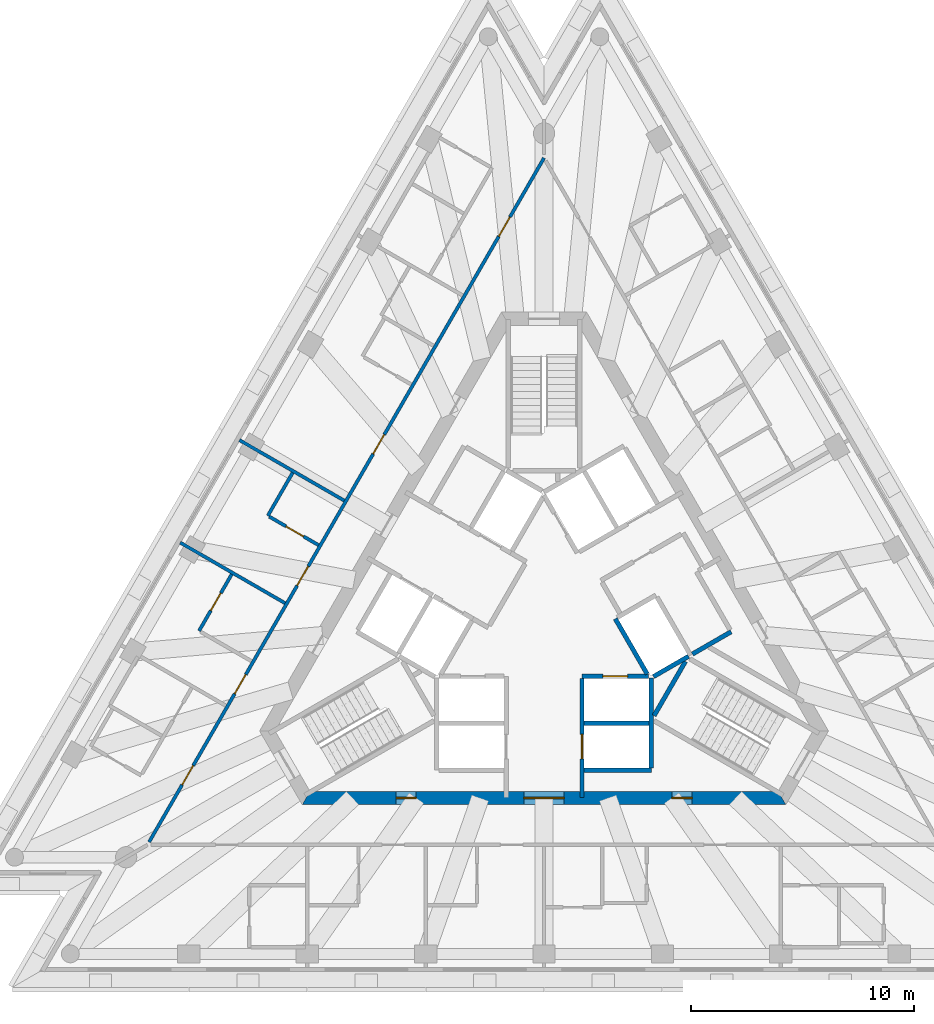
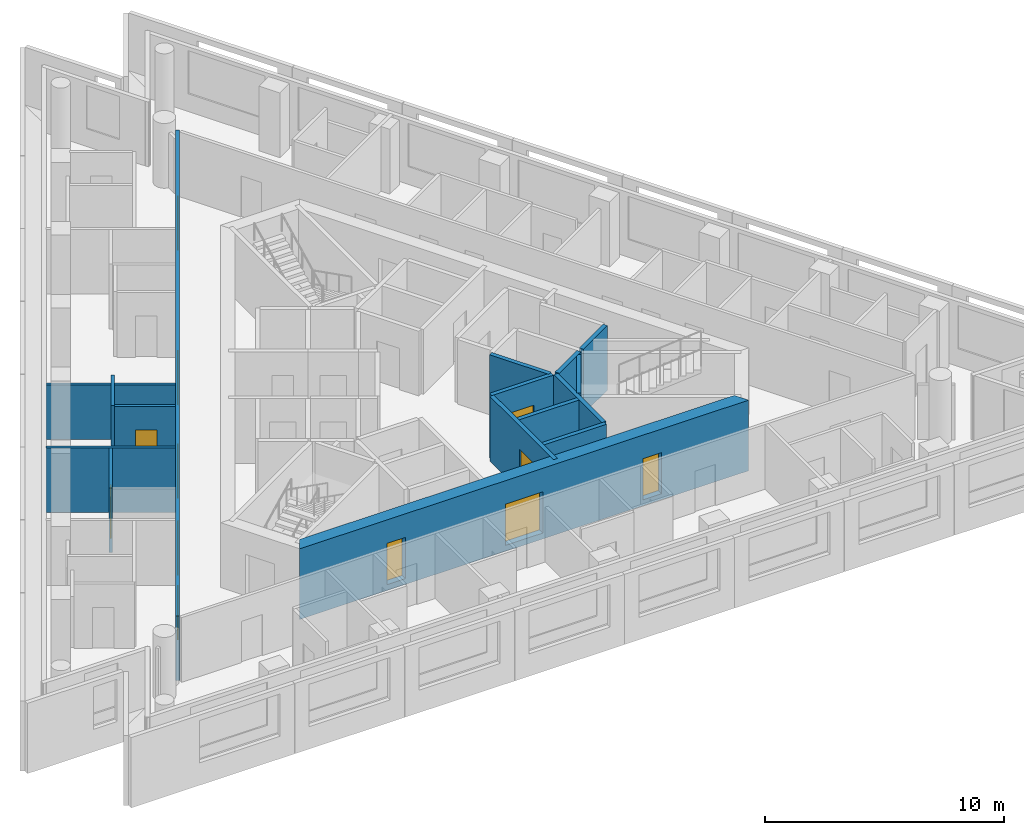
# One storey, part 4 of 11: 16 walls, 12 doors, 12 openings.
"""IFC4 building model written with IfcOpenShell, lengths in metres."""

from ifc_helpers import new_model, si_unit, direction, frame, frame_2d, origin, place, context, subcontext, project, spatial, polyline, rectangle, outline, extrude, material, layer, layer_set, type_object, element, fill, save


model = new_model("IFC4")

# Units and contexts
model_context = context("Model", 3, precision=1e-05, world=origin(), true_north=direction((0.0, 1.0)))
body_context = subcontext(model_context, "Body", "Model", "MODEL_VIEW")
ifc_project = project(units=[si_unit("LENGTHUNIT", "METRE"), si_unit("AREAUNIT", "SQUARE_METRE"), si_unit("VOLUMEUNIT", "CUBIC_METRE"), si_unit("PLANEANGLEUNIT", "RADIAN"), si_unit("MASSUNIT", "GRAM", prefix="KILO")], contexts=[model_context])

# Site, building, storey
site_placement = place(None, origin())
site = spatial("IfcSite", under=ifc_project, at=site_placement, CompositionType="ELEMENT")
building_placement = place(site_placement, origin())
building = spatial("IfcBuilding", under=site, at=building_placement, Name="Triada Interchange Tower", CompositionType="ELEMENT")
storey_placement = place(building_placement, frame((0.0, 0.0, 304.300048828125)))
storey = spatial("IfcBuildingStorey", under=building, at=storey_placement, Name="L72", CompositionType="ELEMENT", Elevation=304.300048828125)

# Walls
ifc_material_1 = material(Name="Concrete C30/37", Category="concrete")
ifc_layer_1 = layer(ifc_material_1, 0.199951171875)
ifc_layer_set_1 = layer_set([ifc_layer_1], Name="CORE WALL 200 EI 120")
wall_type_1 = type_object("IfcWallType", Name="CORE WALL 200 EI 120", PredefinedType="SOLIDWALL", material=ifc_layer_set_1)
wall_1_placement = place(storey_placement, frame((1.800048828125, -4.800048828125, 0.0), z_axis=(0.0, 0.0, 1.0), x_axis=(1.0, 0.0, 0.0)))
element("IfcWall", 1, at=wall_1_placement, inside=storey, type_object=wall_type_1, Name="Wall L71 72", PredefinedType="SOLIDWALL", context=body_context, shape_type="SweptSolid", body=[
    extrude(rectangle(XDim=2.89990234375, YDim=0.199951171875, at=frame_2d((1.449951171875, 0.0))), origin(), (0.0, 0.0, 1.0), 3.300048828125),
])
wall_2_placement = place(storey_placement, frame((1.800048828125, -6.89990234375, 0.0), z_axis=(0.0, 0.0, 1.0), x_axis=(1.0, 0.0, 0.0)))
element("IfcWall", 2, at=wall_2_placement, inside=storey, type_object=wall_type_1, Name="Wall L71 75", PredefinedType="SOLIDWALL", context=body_context, shape_type="SweptSolid", body=[
    extrude(rectangle(XDim=3.0, YDim=0.199951171875, at=frame_2d((1.5, 0.0))), origin(), (0.0, 0.0, 1.0), 3.300048828125),
])

# Wall, opening, door
wall_3_placement = place(storey_placement, frame((1.702880859375, -2.699951171875, 0.0), z_axis=(0.0, 0.0, 1.0), x_axis=(1.0, 0.0, 0.0)))
wall_3 = element("IfcWall", 3, at=wall_3_placement, inside=storey, type_object=wall_type_1, Name="Wall L71 78", PredefinedType="SOLIDWALL", context=body_context, shape_type="SweptSolid", body=[
    extrude(rectangle(XDim=2.97314453125, YDim=0.199951171875, at=frame_2d((1.486572265625, 0.0))), origin(), (0.0, 0.0, 1.0), 3.300048828125),
])
opening_1_placement = place(wall_3_placement, frame((0.93603515625, 0.0, 0.0)))
opening_1 = element("IfcOpeningElement", 4, at=opening_1_placement, cuts=wall_3, Name="Opening LD-HR1", PredefinedType="OPENING", context=body_context, shape_type="SweptSolid", body=[
    extrude(rectangle(XDim=1.10009765625, YDim=2.10009765625, at=frame_2d((0.550048828125, 1.050048828125))), frame((0.0, 0.10986328125, 0.0), z_axis=(0.0, -1.0, 0.0), x_axis=(1.0, 0.0, 0.0)), (0.0, 0.0, 1.0), 0.219970703125),
])
ifc_material_2 = material(Name="Steel S235 door leaf", Category="steel")
door_type_1 = type_object("IfcDoorType", Name="LIFT LANDING DOOR 1100 EI 120", OperationType="SLIDING_TO_LEFT", PredefinedType="DOOR", material=ifc_material_2)
door_1_placement = place(opening_1_placement, origin())
door_1 = element("IfcDoor", 5, at=door_1_placement, inside=storey, type_object=door_type_1, Name="HR1 landing door L72", OperationType="SLIDING_TO_LEFT", OverallHeight=2.10009765625, OverallWidth=1.10009765625, PredefinedType="DOOR", context=body_context, shape_type="SweptSolid", body=[
    extrude(rectangle(XDim=1.10009765625, YDim=2.10009765625, at=frame_2d((0.550048828125, 1.050048828125))), frame((0.0, 0.02490234375, 0.0), z_axis=(0.0, -1.0, 0.0), x_axis=(1.0, 0.0, 0.0)), (0.0, 0.0, 1.0), 0.050048828125),
])
fill(opening_1, door_1)

# Wall
wall_4_placement = place(storey_placement, frame((3.18994140625, -0.125, 0.0), z_axis=(0.0, 0.0, 1.0), x_axis=(0.499988658015, -0.866031951983, 0.0)))
element("IfcWall", 6, at=wall_4_placement, inside=storey, type_object=wall_type_1, Name="Wall L71 81", PredefinedType="SOLIDWALL", context=body_context, shape_type="SweptSolid", body=[
    extrude(rectangle(XDim=2.85791015625, YDim=0.199951171875, at=frame_2d((1.428955078125, 0.0))), origin(), (0.0, 0.0, 1.0), 3.300048828125),
])

# Wall, opening, door
wall_5_placement = place(storey_placement, frame((1.699951171875, -8.1298828125, 0.0), z_axis=(0.0, 0.0, 1.0), x_axis=(0.0, 1.0, 0.0)))
wall_5 = element("IfcWall", 7, at=wall_5_placement, inside=storey, type_object=wall_type_1, Name="Wall L71 83", PredefinedType="SOLIDWALL", context=body_context, shape_type="SweptSolid", body=[
    extrude(rectangle(XDim=5.326904296875, YDim=0.199951171875, at=frame_2d((2.66357421875, 0.0))), origin(), (0.0, 0.0, 1.0), 3.300048828125),
])
opening_2_placement = place(wall_5_placement, frame((1.72998046875, 0.0, 0.0)))
opening_2 = element("IfcOpeningElement", 8, at=opening_2_placement, cuts=wall_5, Name="Opening LD-HR2", PredefinedType="OPENING", context=body_context, shape_type="SweptSolid", body=[
    extrude(rectangle(XDim=1.10009765625, YDim=2.10009765625, at=frame_2d((0.550048828125, 1.050048828125))), frame((0.0, 0.10986328125, 0.0), z_axis=(0.0, -1.0, 0.0), x_axis=(1.0, 0.0, 0.0)), (0.0, 0.0, 1.0), 0.219970703125),
])
door_2_placement = place(opening_2_placement, origin())
door_2 = element("IfcDoor", 9, at=door_2_placement, inside=storey, type_object=door_type_1, Name="HR2 landing door L72", OperationType="SLIDING_TO_LEFT", OverallHeight=2.10009765625, OverallWidth=1.10009765625, PredefinedType="DOOR", context=body_context, shape_type="SweptSolid", body=[
    extrude(rectangle(XDim=1.10009765625, YDim=2.10009765625, at=frame_2d((0.550048828125, 1.050048828125))), frame((0.0, 0.02490234375, 0.0), z_axis=(0.0, -1.0, 0.0), x_axis=(1.0, 0.0, 0.0)), (0.0, 0.0, 1.0), 0.050048828125),
])
fill(opening_2, door_2)

# Walls
wall_6_placement = place(storey_placement, frame((4.800048828125, -6.800048828125, 0.0), z_axis=(0.0, 0.0, 1.0), x_axis=(0.0, 1.0, 0.0)))
element("IfcWall", 10, at=wall_6_placement, inside=storey, type_object=wall_type_1, Name="Wall L71 84", PredefinedType="SOLIDWALL", context=body_context, shape_type="SweptSolid", body=[
    extrude(rectangle(XDim=4.029052734375, YDim=0.199951171875, at=frame_2d((2.0146484375, 0.0))), origin(), (0.0, 0.0, 1.0), 3.300048828125),
])
wall_7_placement = place(storey_placement, frame((4.89990234375, -2.714111328125, 0.0), z_axis=(0.0, 0.0, 1.0), x_axis=(0.865846928409, 0.500309001083, 0.0)))
element("IfcWall", 11, at=wall_7_placement, inside=storey, type_object=wall_type_1, Name="Wall L71 90", PredefinedType="SOLIDWALL", context=body_context, shape_type="SweptSolid", body=[
    extrude(rectangle(XDim=1.813232421875, YDim=0.199951171875, at=frame_2d((0.90673828125, 0.0))), origin(), (0.0, 0.0, 1.0), 3.300048828125),
])
ifc_layer_2 = layer(ifc_material_1, 0.199951171875)
ifc_layer_set_2 = layer_set([ifc_layer_2], Name="CORE WALL 200 EI 90")
wall_type_2 = type_object("IfcWallType", Name="CORE WALL 200 EI 90", PredefinedType="SOLIDWALL", material=ifc_layer_set_2)
wall_8_placement = place(storey_placement, frame((6.64208984375, -1.7080078125, 0.0), z_axis=(0.0, 0.0, 1.0), x_axis=(0.866043441391, 0.499968756647, 0.0)))
element("IfcWall", 12, at=wall_8_placement, inside=storey, type_object=wall_type_2, Name="Wall L71 111", PredefinedType="SOLIDWALL", context=body_context, shape_type="SweptSolid", body=[
    extrude(rectangle(XDim=2.002197265625, YDim=0.199951171875, at=frame_2d((1.0009765625, 0.0))), origin(), (0.0, 0.0, 1.0), 3.300048828125),
])
ifc_layer_3 = layer(ifc_material_1, 0.199951171875)
ifc_layer_set_3 = layer_set([ifc_layer_3], Name="CORE WALL 200 REI 240")
wall_type_3 = type_object("IfcWallType", Name="CORE WALL 200 REI 240", PredefinedType="SOLIDWALL", material=ifc_layer_set_3)
wall_9_placement = place(storey_placement, frame((4.928955078125, -4.4619140625, 0.0), z_axis=(0.0, 0.0, 1.0), x_axis=(0.500200581029, 0.865909567298, 0.0)))
element("IfcWall", 13, at=wall_9_placement, inside=storey, type_object=wall_type_3, Name="Wall L71 122", PredefinedType="SOLIDWALL", context=body_context, shape_type="SweptSolid", body=[
    extrude(rectangle(XDim=2.799072265625, YDim=0.199951171875, at=frame_2d((1.3994140625, 0.0))), origin(), (0.0, 0.0, 1.0), 3.300048828125),
])

# Wall, openings, doors
ifc_material_3 = material(Name="Concrete C40/50", Category="concrete")
ifc_layer_4 = layer(ifc_material_3, 0.60009765625)
ifc_layer_set_4 = layer_set([ifc_layer_4], Name="Core wall D 600")
wall_type_4 = type_object("IfcWallType", Name="Core wall D 600", PredefinedType="SHEAR", material=ifc_layer_set_4)
wall_10_placement = place(storey_placement, frame((-10.652099609375, -8.14990234375, -0.300048828125), z_axis=(0.0, 0.0, 1.0), x_axis=(1.0, 0.0, 0.0)))
wall_10 = element("IfcWall", 14, at=wall_10_placement, inside=storey, type_object=wall_type_4, Name="Core wall WD04 L72", PredefinedType="SHEAR", context=body_context, shape_type="SweptSolid", body=[
    extrude(outline(polyline([(-0.173095703125, -0.300048828125), (1.795166015625, -0.300048828125), (3.76318359375, -0.300048828125), (5.7314453125, -0.300048828125), (7.69970703125, -0.300048828125), (9.66796875, -0.300048828125), (11.635986328125, -0.300048828125), (13.604248046875, -0.300048828125), (15.572509765625, -0.300048828125), (17.540771484375, -0.300048828125), (19.5087890625, -0.300048828125), (21.47705078125, -0.300048828125), (21.131103515625, 0.300048828125), (19.225830078125, 0.300048828125), (17.320556640625, 0.300048828125), (15.415283203125, 0.300048828125), (13.510009765625, 0.300048828125), (11.604736328125, 0.300048828125), (9.699462890625, 0.300048828125), (7.794189453125, 0.300048828125), (5.888916015625, 0.300048828125), (3.983642578125, 0.300048828125), (2.078369140625, 0.300048828125), (0.173095703125, 0.300048828125), (-0.173095703125, -0.300048828125)])), origin(), (0.0, 0.0, 1.0), 3.60009765625),
])
opening_3_placement = place(wall_10_placement, frame((9.751953125, 0.0, 0.300048828125)))
opening_3 = element("IfcOpeningElement", 15, at=opening_3_placement, cuts=wall_10, Name="Opening D71-49", PredefinedType="OPENING", context=body_context, shape_type="SweptSolid", body=[
    extrude(rectangle(XDim=1.800048828125, YDim=2.10009765625, at=frame_2d((0.89990234375, 1.050048828125))), frame((0.0, 0.31005859375, 0.0), z_axis=(0.0, -1.0, 0.0), x_axis=(1.0, 0.0, 0.0)), (0.0, 0.0, 1.0), 0.6201171875),
])
opening_4_placement = place(wall_10_placement, frame((4.02587890625, 0.0, 0.300048828125)))
opening_4 = element("IfcOpeningElement", 16, at=opening_4_placement, cuts=wall_10, Name="Opening D71-55", PredefinedType="OPENING", context=body_context, shape_type="SweptSolid", body=[
    extrude(rectangle(XDim=0.89990234375, YDim=2.10009765625, at=frame_2d((0.449951171875, 1.050048828125))), frame((0.0, 0.31005859375, 0.0), z_axis=(0.0, -1.0, 0.0), x_axis=(1.0, 0.0, 0.0)), (0.0, 0.0, 1.0), 0.6201171875),
])
opening_5_placement = place(wall_10_placement, frame((16.3779296875, 0.0, 0.300048828125)))
opening_5 = element("IfcOpeningElement", 17, at=opening_5_placement, cuts=wall_10, Name="Opening D71-58", PredefinedType="OPENING", context=body_context, shape_type="SweptSolid", body=[
    extrude(rectangle(XDim=0.89990234375, YDim=2.10009765625, at=frame_2d((0.449951171875, 1.050048828125))), frame((0.0, 0.31005859375, 0.0), z_axis=(0.0, -1.0, 0.0), x_axis=(1.0, 0.0, 0.0)), (0.0, 0.0, 1.0), 0.6201171875),
])
door_type_2 = type_object("IfcDoorType", Name="LOBBY DOOR 1800 EI2 90-C5S200", OperationType="DOUBLE_DOOR_SINGLE_SWING", PredefinedType="DOOR", material=ifc_material_2)
door_3_placement = place(opening_3_placement, origin())
door_3 = element("IfcDoor", 18, at=door_3_placement, inside=storey, type_object=door_type_2, Name="Door D71-49 L72", OperationType="DOUBLE_DOOR_SINGLE_SWING", OverallHeight=2.10009765625, OverallWidth=1.800048828125, PredefinedType="DOOR", context=body_context, shape_type="SweptSolid", body=[
    extrude(rectangle(XDim=1.800048828125, YDim=2.10009765625, at=frame_2d((0.89990234375, 1.050048828125))), frame((0.0, 0.02490234375, 0.0), z_axis=(0.0, -1.0, 0.0), x_axis=(1.0, 0.0, 0.0)), (0.0, 0.0, 1.0), 0.050048828125),
])
fill(opening_3, door_3)
door_type_3 = type_object("IfcDoorType", Name="SERVICE DOOR 900 EI2 45-C5S200", OperationType="NOTDEFINED", PredefinedType="DOOR", material=ifc_material_2)
door_4_placement = place(opening_4_placement, origin())
door_4 = element("IfcDoor", 19, at=door_4_placement, inside=storey, type_object=door_type_3, Name="Door D71-55 L72", OperationType="SINGLE_SWING_RIGHT", OverallHeight=2.10009765625, OverallWidth=0.89990234375, PredefinedType="DOOR", context=body_context, shape_type="SweptSolid", body=[
    extrude(rectangle(XDim=0.89990234375, YDim=2.10009765625, at=frame_2d((0.449951171875, 1.050048828125))), frame((0.0, 0.02490234375, 0.0), z_axis=(0.0, -1.0, 0.0), x_axis=(1.0, 0.0, 0.0)), (0.0, 0.0, 1.0), 0.050048828125),
])
fill(opening_4, door_4)
door_5_placement = place(opening_5_placement, origin())
door_5 = element("IfcDoor", 20, at=door_5_placement, inside=storey, type_object=door_type_3, Name="Door D71-58 L72", OperationType="SINGLE_SWING_RIGHT", OverallHeight=2.10009765625, OverallWidth=0.89990234375, PredefinedType="DOOR", context=body_context, shape_type="SweptSolid", body=[
    extrude(rectangle(XDim=0.89990234375, YDim=2.10009765625, at=frame_2d((0.449951171875, 1.050048828125))), frame((0.0, 0.02490234375, 0.0), z_axis=(0.0, -1.0, 0.0), x_axis=(1.0, 0.0, 0.0)), (0.0, 0.0, 1.0), 0.050048828125),
])
fill(opening_5, door_5)

ifc_material_4 = material(Name="Gypsum board partition")
ifc_layer_5 = layer(ifc_material_4, 0.14990234375)
ifc_layer_set_5 = layer_set([ifc_layer_5], Name="PARTITION 150 EI 180")
wall_type_5 = type_object("IfcWallType", Name="PARTITION 150 EI 180", PredefinedType="PARTITIONING", material=ifc_layer_set_5)
wall_11_placement = place(storey_placement, frame((-17.678955078125, -10.1201171875, 0.0), z_axis=(0.0, 0.0, 1.0), x_axis=(0.500008955215, 0.866020233427, 0.0)))
wall_11 = element("IfcWall", 21, at=wall_11_placement, inside=storey, type_object=wall_type_5, Name="Wall L71 5", PredefinedType="PARTITIONING", context=body_context, shape_type="SweptSolid", body=[
    extrude(rectangle(XDim=35.357177734375, YDim=0.14990234375, at=frame_2d((17.6787109375, 0.0))), origin(), (0.0, 0.0, 1.0), 3.300048828125),
])
opening_6_placement = place(wall_11_placement, frame((31.306884765625, 0.0, 0.0)))
opening_6 = element("IfcOpeningElement", 22, at=opening_6_placement, cuts=wall_11, Name="Opening D71-36", PredefinedType="OPENING", context=body_context, shape_type="SweptSolid", body=[
    extrude(rectangle(XDim=1.0, YDim=2.10009765625, at=frame_2d((0.5, 1.050048828125))), frame((0.0, 0.0849609375, 0.0), z_axis=(0.0, -1.0, 0.0), x_axis=(1.0, 0.0, 0.0)), (0.0, 0.0, 1.0), 0.169921875),
])
opening_7_placement = place(wall_11_placement, frame((20.055908203125, 0.0, 0.0)))
opening_7 = element("IfcOpeningElement", 23, at=opening_7_placement, cuts=wall_11, Name="Opening D71-39", PredefinedType="OPENING", context=body_context, shape_type="SweptSolid", body=[
    extrude(rectangle(XDim=1.0, YDim=2.10009765625, at=frame_2d((0.5, 1.050048828125))), frame((0.0, 0.0849609375, 0.0), z_axis=(0.0, -1.0, 0.0), x_axis=(1.0, 0.0, 0.0)), (0.0, 0.0, 1.0), 0.169921875),
])
opening_8_placement = place(wall_11_placement, frame((13.2529296875, 0.0, 0.0)))
opening_8 = element("IfcOpeningElement", 24, at=opening_8_placement, cuts=wall_11, Name="Opening D71-42", PredefinedType="OPENING", context=body_context, shape_type="SweptSolid", body=[
    extrude(rectangle(XDim=1.0, YDim=2.10009765625, at=frame_2d((0.5, 1.050048828125))), frame((0.0, 0.0849609375, 0.0), z_axis=(0.0, -1.0, 0.0), x_axis=(1.0, 0.0, 0.0)), (0.0, 0.0, 1.0), 0.169921875),
])
opening_9_placement = place(wall_11_placement, frame((7.653076171875, 0.0, 0.0)))
opening_9 = element("IfcOpeningElement", 25, at=opening_9_placement, cuts=wall_11, Name="Opening D71-44", PredefinedType="OPENING", context=body_context, shape_type="SweptSolid", body=[
    extrude(rectangle(XDim=1.0, YDim=2.10009765625, at=frame_2d((0.5, 1.050048828125))), frame((0.0, 0.0849609375, 0.0), z_axis=(0.0, -1.0, 0.0), x_axis=(1.0, 0.0, 0.0)), (0.0, 0.0, 1.0), 0.169921875),
])
opening_10_placement = place(wall_11_placement, frame((2.951904296875, 0.0, 0.0)))
opening_10 = element("IfcOpeningElement", 26, at=opening_10_placement, cuts=wall_11, Name="Opening D71-46", PredefinedType="OPENING", context=body_context, shape_type="SweptSolid", body=[
    extrude(rectangle(XDim=1.0, YDim=2.10009765625, at=frame_2d((0.5, 1.050048828125))), frame((0.0, 0.0849609375, 0.0), z_axis=(0.0, -1.0, 0.0), x_axis=(1.0, 0.0, 0.0)), (0.0, 0.0, 1.0), 0.169921875),
])
door_type_4 = type_object("IfcDoorType", Name="GUEST ROOM DOOR 1000 EI2 90-C5S200", OperationType="NOTDEFINED", PredefinedType="DOOR", material=ifc_material_2)
door_6_placement = place(opening_6_placement, origin())
door_6 = element("IfcDoor", 27, at=door_6_placement, inside=storey, type_object=door_type_4, Name="Door D71-36 L72", OperationType="SINGLE_SWING_RIGHT", OverallHeight=2.10009765625, OverallWidth=1.0, PredefinedType="DOOR", context=body_context, shape_type="SweptSolid", body=[
    extrude(rectangle(XDim=1.0, YDim=2.10009765625, at=frame_2d((0.5, 1.050048828125))), frame((0.0, 0.02490234375, 0.0), z_axis=(0.0, -1.0, 0.0), x_axis=(1.0, 0.0, 0.0)), (0.0, 0.0, 1.0), 0.050048828125),
])
fill(opening_6, door_6)
door_7_placement = place(opening_7_placement, origin())
door_7 = element("IfcDoor", 28, at=door_7_placement, inside=storey, type_object=door_type_4, Name="Door D71-39 L72", OperationType="SINGLE_SWING_RIGHT", OverallHeight=2.10009765625, OverallWidth=1.0, PredefinedType="DOOR", context=body_context, shape_type="SweptSolid", body=[
    extrude(rectangle(XDim=1.0, YDim=2.10009765625, at=frame_2d((0.5, 1.050048828125))), frame((0.0, 0.02490234375, 0.0), z_axis=(0.0, -1.0, 0.0), x_axis=(1.0, 0.0, 0.0)), (0.0, 0.0, 1.0), 0.050048828125),
])
fill(opening_7, door_7)
door_8_placement = place(opening_8_placement, origin())
door_8 = element("IfcDoor", 29, at=door_8_placement, inside=storey, type_object=door_type_4, Name="Door D71-42 L72", OperationType="SINGLE_SWING_RIGHT", OverallHeight=2.10009765625, OverallWidth=1.0, PredefinedType="DOOR", context=body_context, shape_type="SweptSolid", body=[
    extrude(rectangle(XDim=1.0, YDim=2.10009765625, at=frame_2d((0.5, 1.050048828125))), frame((0.0, 0.02490234375, 0.0), z_axis=(0.0, -1.0, 0.0), x_axis=(1.0, 0.0, 0.0)), (0.0, 0.0, 1.0), 0.050048828125),
])
fill(opening_8, door_8)
door_9_placement = place(opening_9_placement, origin())
door_9 = element("IfcDoor", 30, at=door_9_placement, inside=storey, type_object=door_type_4, Name="Door D71-44 L72", OperationType="SINGLE_SWING_LEFT", OverallHeight=2.10009765625, OverallWidth=1.0, PredefinedType="DOOR", context=body_context, shape_type="SweptSolid", body=[
    extrude(rectangle(XDim=1.0, YDim=2.10009765625, at=frame_2d((0.5, 1.050048828125))), frame((0.0, 0.02490234375, 0.0), z_axis=(0.0, -1.0, 0.0), x_axis=(1.0, 0.0, 0.0)), (0.0, 0.0, 1.0), 0.050048828125),
])
fill(opening_9, door_9)
door_10_placement = place(opening_10_placement, origin())
door_10 = element("IfcDoor", 31, at=door_10_placement, inside=storey, type_object=door_type_4, Name="Door D71-46 L72", OperationType="SINGLE_SWING_LEFT", OverallHeight=2.10009765625, OverallWidth=1.0, PredefinedType="DOOR", context=body_context, shape_type="SweptSolid", body=[
    extrude(rectangle(XDim=1.0, YDim=2.10009765625, at=frame_2d((0.5, 1.050048828125))), frame((0.0, 0.02490234375, 0.0), z_axis=(0.0, -1.0, 0.0), x_axis=(1.0, 0.0, 0.0)), (0.0, 0.0, 1.0), 0.050048828125),
])
fill(opening_10, door_10)

# Walls
wall_12_placement = place(storey_placement, frame((-16.2880859375, 3.282958984375, 0.0), z_axis=(0.0, 0.0, 1.0), x_axis=(0.866051380023, -0.499955005135, 0.0)))
element("IfcWall", 32, at=wall_12_placement, inside=storey, type_object=wall_type_5, Name="Wall L71 6", PredefinedType="PARTITIONING", context=body_context, shape_type="SweptSolid", body=[
    extrude(rectangle(XDim=5.42236328125, YDim=0.14990234375, at=frame_2d((2.711181640625, 0.0))), origin(), (0.0, 0.0, 1.0), 3.300048828125),
])
wall_13_placement = place(storey_placement, frame((-13.636962890625, 7.873046875, 0.0), z_axis=(0.0, 0.0, 1.0), x_axis=(0.866006352826, -0.500032995777, 0.0)))
element("IfcWall", 33, at=wall_13_placement, inside=storey, type_object=wall_type_5, Name="Wall L71 7", PredefinedType="PARTITIONING", context=body_context, shape_type="SweptSolid", body=[
    extrude(rectangle(XDim=5.421630859375, YDim=0.14990234375, at=frame_2d((2.7109375, 0.0))), origin(), (0.0, 0.0, 1.0), 2.800048828125),
])

# Wall, opening, door
ifc_layer_6 = layer(ifc_material_4, 0.14990234375)
ifc_layer_set_6 = layer_set([ifc_layer_6], Name="PARTITION 150 EI 90")
wall_type_6 = type_object("IfcWallType", Name="PARTITION 150 EI 90", PredefinedType="PARTITIONING", material=ifc_layer_set_6)
wall_14_placement = place(storey_placement, frame((-15.44189453125, -0.6689453125, 0.0), z_axis=(0.0, 0.0, 1.0), x_axis=(0.499874209568, 0.866098016745, 0.0)))
wall_14 = element("IfcWall", 34, at=wall_14_placement, inside=storey, type_object=wall_type_6, Name="Wall L71 34", PredefinedType="PARTITIONING", context=body_context, shape_type="SweptSolid", body=[
    extrude(rectangle(XDim=2.924560546875, YDim=0.14990234375, at=frame_2d((1.46240234375, 0.0))), origin(), (0.0, 0.0, 1.0), 3.300048828125),
])
opening_11_placement = place(wall_14_placement, frame((1.050048828125, 0.0, 0.0)))
opening_11 = element("IfcOpeningElement", 35, at=opening_11_placement, cuts=wall_14, Name="Opening D71-45", PredefinedType="OPENING", context=body_context, shape_type="SweptSolid", body=[
    extrude(rectangle(XDim=0.89990234375, YDim=2.10009765625, at=frame_2d((0.449951171875, 1.050048828125))), frame((0.0, 0.0849609375, 0.0), z_axis=(0.0, -1.0, 0.0), x_axis=(1.0, 0.0, 0.0)), (0.0, 0.0, 1.0), 0.169921875),
])
door_type_5 = type_object("IfcDoorType", Name="ROOM DOOR 900 EI2 45-C5S200", OperationType="NOTDEFINED", PredefinedType="DOOR", material=ifc_material_2)
door_11_placement = place(opening_11_placement, origin())
door_11 = element("IfcDoor", 36, at=door_11_placement, inside=storey, type_object=door_type_5, Name="Door D71-45 L72", OperationType="SINGLE_SWING_LEFT", OverallHeight=2.10009765625, OverallWidth=0.89990234375, PredefinedType="DOOR", context=body_context, shape_type="SweptSolid", body=[
    extrude(rectangle(XDim=0.89990234375, YDim=2.10009765625, at=frame_2d((0.449951171875, 1.050048828125))), frame((0.0, 0.02490234375, 0.0), z_axis=(0.0, -1.0, 0.0), x_axis=(1.0, 0.0, 0.0)), (0.0, 0.0, 1.0), 0.050048828125),
])
fill(opening_11, door_11)

# Wall
wall_15_placement = place(storey_placement, frame((-12.364990234375, 4.48291015625, 0.0), z_axis=(0.0, 0.0, 1.0), x_axis=(0.499833278392, 0.866121639155, 0.0)))
element("IfcWall", 37, at=wall_15_placement, inside=storey, type_object=wall_type_6, Name="Wall L71 37", PredefinedType="PARTITIONING", context=body_context, shape_type="SweptSolid", body=[
    extrude(rectangle(XDim=2.224853515625, YDim=0.14990234375, at=frame_2d((1.1123046875, 0.0))), origin(), (0.0, 0.0, 1.0), 3.300048828125),
])

# Wall, opening, door
wall_16_placement = place(storey_placement, frame((-12.300048828125, 4.445068359375, 0.0), z_axis=(0.0, 0.0, 1.0), x_axis=(0.865965520905, -0.500103705848, 0.0)))
wall_16 = element("IfcWall", 38, at=wall_16_placement, inside=storey, type_object=wall_type_6, Name="Wall L71 38", PredefinedType="PARTITIONING", context=body_context, shape_type="SweptSolid", body=[
    extrude(rectangle(XDim=2.5498046875, YDim=0.14990234375, at=frame_2d((1.27490234375, 0.0))), origin(), (0.0, 0.0, 1.0), 3.300048828125),
])
opening_12_placement = place(wall_16_placement, frame((0.875, 0.0, 0.0)))
opening_12 = element("IfcOpeningElement", 39, at=opening_12_placement, cuts=wall_16, Name="Opening D71-43", PredefinedType="OPENING", context=body_context, shape_type="SweptSolid", body=[
    extrude(rectangle(XDim=0.89990234375, YDim=2.10009765625, at=frame_2d((0.449951171875, 1.050048828125))), frame((0.0, 0.0849609375, 0.0), z_axis=(0.0, -1.0, 0.0), x_axis=(1.0, 0.0, 0.0)), (0.0, 0.0, 1.0), 0.169921875),
])
door_12_placement = place(opening_12_placement, origin())
door_12 = element("IfcDoor", 40, at=door_12_placement, inside=storey, type_object=door_type_5, Name="Door D71-43 L72", OperationType="SINGLE_SWING_RIGHT", OverallHeight=2.10009765625, OverallWidth=0.89990234375, PredefinedType="DOOR", context=body_context, shape_type="SweptSolid", body=[
    extrude(rectangle(XDim=0.89990234375, YDim=2.10009765625, at=frame_2d((0.449951171875, 1.050048828125))), frame((0.0, 0.02490234375, 0.0), z_axis=(0.0, -1.0, 0.0), x_axis=(1.0, 0.0, 0.0)), (0.0, 0.0, 1.0), 0.050048828125),
])
fill(opening_12, door_12)

save(model, "model.ifc")
